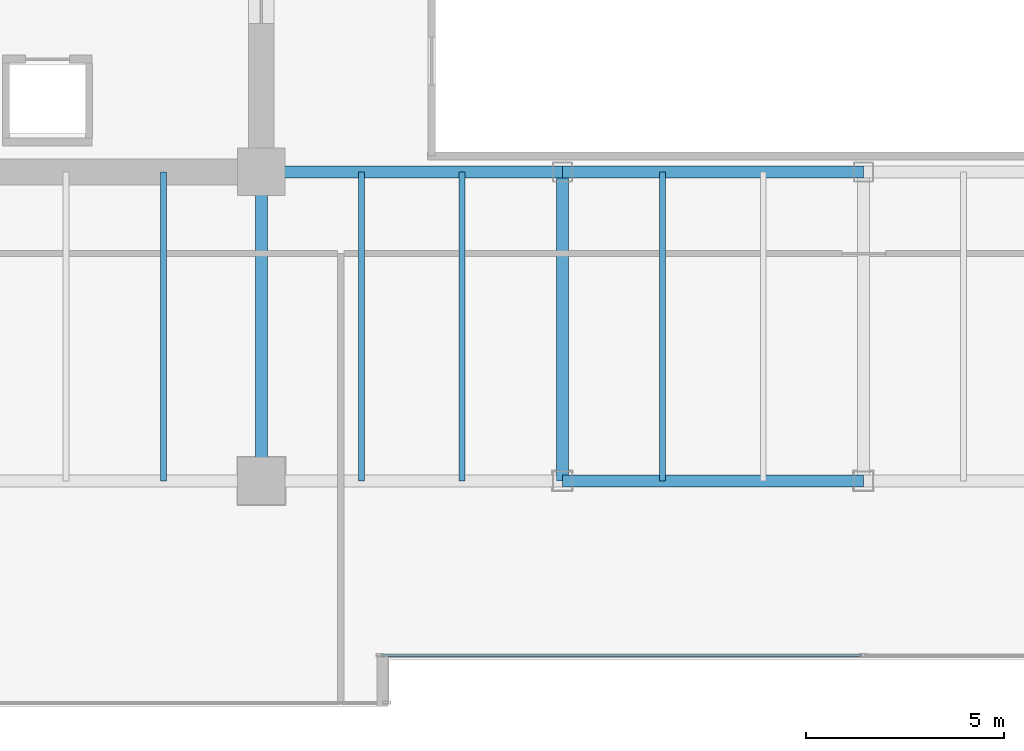
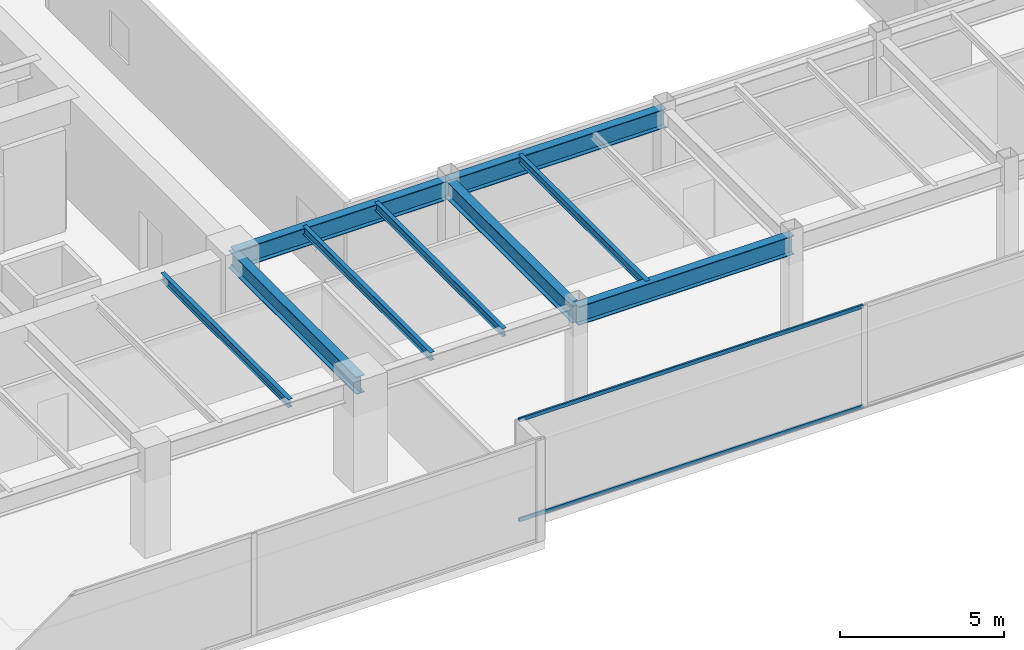
# One storey, part 5 of 33: 9 beams, 2 members, 1 element without a shape of its own.
"""IFC4 building model written with IfcOpenShell, lengths in metres."""

import ifcopenshell
import ifcopenshell.guid

model = None  # the IFC model being written
_history = None  # IfcOwnerHistory: only IFC2X3 demands one
_inside = {}  # id of a spatial element -> (the spatial element, [elements in it])
_under = {}  # id of a project, library or spatial element -> (it, [spatial elements below it])
_declared = {}  # id of a project -> (the project, [libraries it declares])
_typed = {}  # id of a type object -> (the type object, [elements of that type])
_made_of = {}  # id of a material, layer set ... -> (it, [elements and type objects made of it])


def new_model(schema):
    """Start an empty IFC model of exactly this schema.

    Asked for "IFC4X3", IfcOpenShell would pick the latest addendum, in which some entities
    have other attributes; the version numbers below select the first issue.
    IFC2X3 requires an IfcOwnerHistory on every rooted entity: one is made here for all.
    """
    global model, _history
    if schema == "IFC4X3":
        model = ifcopenshell.file(schema_version=(4, 3, 0, 0))
    else:
        model = ifcopenshell.file(schema=schema)
    _inside.clear()
    _under.clear()
    _declared.clear()
    _typed.clear()
    _made_of.clear()
    _history = None
    if model.schema == "IFC2X3":
        org = make("IfcOrganization", Name="unknown")
        user = make(
            "IfcPersonAndOrganization",
            ThePerson=make("IfcPerson", FamilyName="unknown"),
            TheOrganization=org,
        )
        app = make(
            "IfcApplication",
            ApplicationDeveloper=org,
            Version="unknown",
            ApplicationFullName="unknown",
            ApplicationIdentifier="unknown",
        )
        _history = make(
            "IfcOwnerHistory",
            OwningUser=user,
            OwningApplication=app,
            ChangeAction="ADDED",
            CreationDate=0,
        )
    return model


def make(cls, **values):
    """One entity of the class cls with the attributes given. An attribute that is None is left unset."""
    return model.create_entity(
        cls, **{name: value for name, value in values.items() if value is not None}
    )


def rooted(cls, **values):
    """An entity with a GlobalId (a new one), such as an element, a storey or a relation."""
    return make(cls, GlobalId=ifcopenshell.guid.new(), OwnerHistory=_history, **values)


def si_unit(unit_type, name, prefix=None):
    """IfcSIUnit, for example si_unit("LENGTHUNIT", "METRE", prefix="MILLI")."""
    return make("IfcSIUnit", UnitType=unit_type, Prefix=prefix, Name=name)


def assignment(units):
    """IfcUnitAssignment: the units of a project."""
    return None if units is None else make("IfcUnitAssignment", Units=units)


def point(xyz):
    """IfcCartesianPoint."""
    return None if xyz is None else make("IfcCartesianPoint", Coordinates=xyz)


def direction(xyz):
    """IfcDirection."""
    return None if xyz is None else make("IfcDirection", DirectionRatios=xyz)


def frame(location, z_axis=None, x_axis=None):
    """IfcAxis2Placement3D, a coordinate frame: its origin and axes. An axis left out is left unset."""
    return make(
        "IfcAxis2Placement3D",
        Location=point(location),
        Axis=direction(z_axis),
        RefDirection=direction(x_axis),
    )


def frame_2d(location, x_axis=None):
    """IfcAxis2Placement2D, a coordinate frame in the plane: its origin and x axis."""
    return make(
        "IfcAxis2Placement2D", Location=point(location), RefDirection=direction(x_axis)
    )


def origin():
    """The frame at (0, 0, 0) with its axes left unset."""
    return frame((0.0, 0.0, 0.0))


def origin_2d():
    """The frame at (0, 0) in the plane with its x axis left unset."""
    return frame_2d((0.0, 0.0))


def place(relative_to, where):
    """IfcLocalPlacement: puts the frame where relative to a parent placement (None: the world)."""
    return make(
        "IfcLocalPlacement", PlacementRelTo=relative_to, RelativePlacement=where
    )


def context(
    kind, dimensions, precision=None, world=None, true_north=None, identifier=None
):
    """IfcGeometricRepresentationContext, for example the 3D "Model" context."""
    return make(
        "IfcGeometricRepresentationContext",
        ContextIdentifier=identifier,
        ContextType=kind,
        CoordinateSpaceDimension=dimensions,
        Precision=precision,
        WorldCoordinateSystem=world,
        TrueNorth=true_north,
    )


def subcontext(parent, identifier, kind, view, scale=None):
    """IfcGeometricRepresentationSubContext, for example "Body" below "Model"."""
    return make(
        "IfcGeometricRepresentationSubContext",
        ContextIdentifier=identifier,
        ContextType=kind,
        ParentContext=parent,
        TargetScale=scale,
        TargetView=view,
    )


def project(units=None, contexts=None):
    """IfcProject with its units and contexts."""
    return rooted(
        "IfcProject",
        Name="project",
        RepresentationContexts=contexts,
        UnitsInContext=assignment(units),
    )


def spatial(cls, under=None, at=None, **own):
    """A site, building, storey or space (cls), placed at a placement, below another one or the project."""
    s = rooted(cls, ObjectPlacement=at, **own)
    if under is not None:
        _under.setdefault(under.id(), (under, []))[1].append(s)
    return s


def profile(cls, at=None, kind="AREA", **sizes):
    """A parametric profile (cls). Its sizes go by their IFC names, for example OverallWidth=200.0."""
    return make(cls, ProfileType=kind, Position=at, **sizes)


def hollow_rectangle(**sizes):
    """IfcRectangleHollowProfileDef."""
    return profile("IfcRectangleHollowProfileDef", **sizes)


def i_section(**sizes):
    """IfcIShapeProfileDef."""
    return profile("IfcIShapeProfileDef", **sizes)


def extrude(swept, where, along, depth):
    """IfcExtrudedAreaSolid: the profile swept, set in the frame where, extruded along a direction by depth."""
    return make(
        "IfcExtrudedAreaSolid",
        SweptArea=swept,
        Position=where,
        ExtrudedDirection=direction(along),
        Depth=depth,
    )


def shape(context_of_items, identifier, shape_type, items):
    """IfcShapeRepresentation: the items that make up one representation, for example the "Body"."""
    return make(
        "IfcShapeRepresentation",
        ContextOfItems=context_of_items,
        RepresentationIdentifier=identifier,
        RepresentationType=shape_type,
        Items=items,
    )


def source(mapping_origin, context_of_items, identifier, shape_type, items):
    """IfcRepresentationMap: a shape defined once, which mapped items show again and again."""
    return make(
        "IfcRepresentationMap",
        MappingOrigin=mapping_origin,
        MappedRepresentation=shape(context_of_items, identifier, shape_type, items),
    )


def transform(
    local_origin,
    x_axis=None,
    y_axis=None,
    z_axis=None,
    scale=None,
    scale2=None,
    scale3=None,
    uniform=True,
):
    """IfcCartesianTransformationOperator3D, or its non-uniform kind. x_axis, y_axis, z_axis: its Axis1, 2, 3."""
    if uniform:
        return make(
            "IfcCartesianTransformationOperator3D",
            Axis1=direction(x_axis),
            Axis2=direction(y_axis),
            LocalOrigin=point(local_origin),
            Scale=scale,
            Axis3=direction(z_axis),
        )
    return make(
        "IfcCartesianTransformationOperator3DnonUniform",
        Axis1=direction(x_axis),
        Axis2=direction(y_axis),
        LocalOrigin=point(local_origin),
        Scale=scale,
        Axis3=direction(z_axis),
        Scale2=scale2,
        Scale3=scale3,
    )


def mapped(mapping_source, mapping_target):
    """IfcMappedItem: shows the shape of a source again, moved by a transform."""
    return make(
        "IfcMappedItem", MappingSource=mapping_source, MappingTarget=mapping_target
    )


def material(Name=None, Category=None):
    """IfcMaterial."""
    return make("IfcMaterial", Name=Name, Category=Category)


def layer(
    of_material, thickness, ventilated=None, Name=None, Category=None, Priority=None
):
    """IfcMaterialLayer: one layer of a wall or slab, of a material (None: an air gap)."""
    return make(
        "IfcMaterialLayer",
        Material=of_material,
        LayerThickness=thickness,
        IsVentilated=ventilated,
        Name=Name,
        Category=Category,
        Priority=Priority,
    )


def layer_set(layers, Name=None):
    """IfcMaterialLayerSet."""
    return make("IfcMaterialLayerSet", MaterialLayers=layers, LayerSetName=Name)


def material_profile(
    of_material, cross_section, Name=None, Category=None, Priority=None
):
    """IfcMaterialProfile: a cross section and its material."""
    return make(
        "IfcMaterialProfile",
        Name=Name,
        Material=of_material,
        Profile=cross_section,
        Priority=Priority,
        Category=Category,
    )


def profile_set(profiles, Name=None, composite=None):
    """IfcMaterialProfileSet."""
    return make(
        "IfcMaterialProfileSet",
        Name=Name,
        MaterialProfiles=profiles,
        CompositeProfile=composite,
    )


def made_of(thing, what):
    """Note that an element or type object is made of a material, layer set ...; save() writes the relation."""
    if what is not None:
        _made_of.setdefault(what.id(), (what, []))[1].append(thing)
    return thing


def type_object(cls, material=None, **own):
    """A type object (cls), such as IfcWallType, which elements share."""
    return made_of(rooted(cls, **own), material)


def type_shapes(of_type, sources):
    """Give a type object the sources (RepresentationMaps) that its elements show as mapped items."""
    of_type.RepresentationMaps = sources


def element(
    cls,
    number,
    at=None,
    inside=None,
    cuts=None,
    type_object=None,
    material=None,
    context=None,
    identifier="Body",
    shape_type=None,
    held_by="IfcProductDefinitionShape",
    body=None,
    shapes=None,
    **own,
):
    """One element of the class cls, such as IfcWall. Its Tag is "e" and its number.

    at: its placement. inside: the storey or other place that contains it. cuts: it is an
    opening in that element (IfcRelVoidsElement). A single representation is given by context,
    identifier, shape_type and body (its items); several are given by shapes. held_by: the class
    of the entity that holds the representations. save() writes the other relations.
    """
    e = rooted(cls, Tag="e%d" % number, ObjectPlacement=at, **own)
    if body is not None:
        shapes = [shape(context, identifier, shape_type, body)]
    if shapes is not None:
        e.Representation = make(held_by, Representations=shapes)
    if inside is not None:
        _inside.setdefault(inside.id(), (inside, []))[1].append(e)
    if cuts is not None:
        rooted(
            "IfcRelVoidsElement", RelatingBuildingElement=cuts, RelatedOpeningElement=e
        )
    if type_object is not None:
        _typed.setdefault(type_object.id(), (type_object, []))[1].append(e)
    return made_of(e, material)


def aggregate(whole, parts):
    """IfcRelAggregates: a whole, such as a stair, and the parts it consists of."""
    return rooted("IfcRelAggregates", RelatingObject=whole, RelatedObjects=parts)


def save(model, path):
    """Write the relations noted so far, then the file.

    IfcRelAggregates (storeys below a building ...), IfcRelContainedInSpatialStructure (elements
    in a storey), IfcRelDefinesByType, IfcRelAssociatesMaterial and IfcRelDeclares: one each for
    every whole, place, type object, material and project.
    """
    for whole, parts in _under.values():
        aggregate(whole, parts)
    for where, things in _inside.values():
        rooted(
            "IfcRelContainedInSpatialStructure",
            RelatedElements=things,
            RelatingStructure=where,
        )
    for kind, things in _typed.values():
        rooted("IfcRelDefinesByType", RelatedObjects=things, RelatingType=kind)
    for what, things in _made_of.values():
        rooted("IfcRelAssociatesMaterial", RelatedObjects=things, RelatingMaterial=what)
    for by, libraries in _declared.values():
        rooted("IfcRelDeclares", RelatingContext=by, RelatedDefinitions=libraries)
    model.write(path)


model = new_model("IFC4")

# Units and contexts
model_context = context("Model", 3, precision=1e-05, world=origin(), true_north=direction((0.0, 1.0)))
body_context = subcontext(model_context, "Body", "Model", "MODEL_VIEW")
ifc_project = project(units=[si_unit("LENGTHUNIT", "METRE"), si_unit("AREAUNIT", "SQUARE_METRE"), si_unit("VOLUMEUNIT", "CUBIC_METRE"), si_unit("PLANEANGLEUNIT", "RADIAN"), si_unit("MASSUNIT", "GRAM", prefix="KILO")], contexts=[model_context])

# Site, building, storey
site_placement = place(None, origin())
site = spatial("IfcSite", under=ifc_project, at=site_placement, CompositionType="ELEMENT")
building_placement = place(site_placement, origin())
building = spatial("IfcBuilding", under=site, at=building_placement, Name="Haelvirn Gate Laboratories", CompositionType="ELEMENT")
storey_placement = place(building_placement, frame((0.0, 0.0, 137.89990234375)))
storey = spatial("IfcBuildingStorey", under=building, at=storey_placement, Name="L33", CompositionType="ELEMENT", Elevation=137.89990234375)

# Beams
ifc_material_1 = material(Name="Steel SM355", Category="steel")
ifc_material_profile_1 = material_profile(ifc_material_1, i_section(OverallWidth=0.300048828125, OverallDepth=0.64990234375, WebThickness=0.012939453125, FlangeThickness=0.02197265625, at=origin_2d()), Name="H-650x300x13x22")
ifc_profile_set_1 = profile_set([ifc_material_profile_1], Name="Steel SM355")
beam_type_1 = type_object("IfcBeamType", Name="BM-G-650", PredefinedType="BEAM", material=ifc_profile_set_1)
shared_shape_1 = source(origin(), body_context, "Body", "SweptSolid", [
    extrude(i_section(OverallWidth=0.300048828125, OverallDepth=0.64990234375, WebThickness=0.012939453125, FlangeThickness=0.02197265625, at=origin_2d()), origin(), (0.0, 0.0, 1.0), 7.800048828125),
])
type_shapes(beam_type_1, [shared_shape_1])
for number, where, z_axis, x_axis, name in (
    (1, (22.199951171875, 7.0, 3.465087890625), (0.0, 1.0, 0.0), (-1.0, 0.0, 0.0), "L33 Frame Girder X22.2 (7.0-14.8)"),
    (2, (29.800048828125, 7.0, 3.465087890625), (0.0, 1.0, 0.0), (-1.0, 0.0, 0.0), "L33 Frame Girder X29.8 (7.0-14.8)"),
):
    element("IfcBeam", number, at=place(storey_placement, frame(where, z_axis=z_axis, x_axis=x_axis)), inside=storey, type_object=beam_type_1, Name=name, PredefinedType="BEAM", context=body_context, shape_type="MappedRepresentation", body=[
        mapped(shared_shape_1, transform((0.0, 0.0, 0.0), scale=1.0)),
    ])
ifc_material_profile_2 = material_profile(ifc_material_1, i_section(OverallWidth=0.300048828125, OverallDepth=0.699951171875, WebThickness=0.012939453125, FlangeThickness=0.02392578125, at=origin_2d()), Name="H-700x300x13x24")
ifc_profile_set_2 = profile_set([ifc_material_profile_2], Name="Steel SM355")
beam_type_2 = type_object("IfcBeamType", Name="BM-G-700", PredefinedType="BEAM", material=ifc_profile_set_2)
shared_shape_2 = source(origin(), body_context, "Body", "SweptSolid", [
    extrude(i_section(OverallWidth=0.300048828125, OverallDepth=0.699951171875, WebThickness=0.012939453125, FlangeThickness=0.02392578125, at=origin_2d()), origin(), (0.0, 0.0, 1.0), 7.60009765625),
])
beam_placement = place(storey_placement, frame((22.199951171875, 14.800048828125, 3.440185546875), z_axis=(1.0, 0.0, 0.0), x_axis=(0.0, 1.0, 0.0)))
element("IfcBeam", 3, at=beam_placement, inside=storey, type_object=beam_type_2, Name="L33 Primary Girder Y14.8 (22.2-29.8)", PredefinedType="BEAM", context=body_context, shape_type="MappedRepresentation", body=[
    mapped(shared_shape_2, transform((0.0, 0.0, 0.0), scale=1.0)),
])
shared_shape_3 = source(origin(), body_context, "Body", "SweptSolid", [
    extrude(i_section(OverallWidth=0.300048828125, OverallDepth=0.699951171875, WebThickness=0.012939453125, FlangeThickness=0.02392578125, at=origin_2d()), origin(), (0.0, 0.0, 1.0), 7.599853515625),
])
type_shapes(beam_type_2, [shared_shape_2, shared_shape_3])
for number, where, z_axis, x_axis, name in (
    (4, (29.800048828125, 7.0, 3.440185546875), (1.0, 0.0, 0.0), (0.0, 1.0, 0.0), "L33 Primary Girder Y7.0 (29.8-37.4)"),
    (5, (29.800048828125, 14.800048828125, 3.440185546875), (1.0, 0.0, 0.0), (0.0, 1.0, 0.0), "L33 Primary Girder Y14.8 (29.8-37.4)"),
):
    element("IfcBeam", number, at=place(storey_placement, frame(where, z_axis=z_axis, x_axis=x_axis)), inside=storey, type_object=beam_type_2, Name=name, PredefinedType="BEAM", context=body_context, shape_type="MappedRepresentation", body=[
        mapped(shared_shape_3, transform((0.0, 0.0, 0.0), scale=1.0)),
    ])
ifc_material_profile_3 = material_profile(ifc_material_1, i_section(OverallWidth=0.14990234375, OverallDepth=0.300048828125, WebThickness=0.006591796875, FlangeThickness=0.009033203125, at=origin_2d()), Name="H-300x150x6.5x9")
ifc_profile_set_3 = profile_set([ifc_material_profile_3], Name="Steel SM355")
beam_type_3 = type_object("IfcBeamType", Name="BM-J-300", PredefinedType="JOIST", material=ifc_profile_set_3)
shared_shape_4 = source(origin(), body_context, "Body", "SweptSolid", [
    extrude(i_section(OverallWidth=0.14990234375, OverallDepth=0.300048828125, WebThickness=0.006591796875, FlangeThickness=0.009033203125, at=origin_2d()), origin(), (0.0, 0.0, 1.0), 7.800048828125),
])
type_shapes(beam_type_3, [shared_shape_4])
for number, where, z_axis, x_axis, name in (
    (6, (19.72998046875, 7.0, 3.64013671875), (0.0, 1.0, 0.0), (-1.0, 0.0, 0.0), "L33 Composite Lab Joist South X19.73"),
    (7, (24.72998046875, 7.0, 3.64013671875), (0.0, 1.0, 0.0), (-1.0, 0.0, 0.0), "L33 Composite Lab Joist South X24.73"),
    (8, (27.27001953125, 7.0, 3.64013671875), (0.0, 1.0, 0.0), (-1.0, 0.0, 0.0), "L33 Composite Lab Joist South X27.27"),
    (9, (32.330078125, 7.0, 3.64013671875), (0.0, 1.0, 0.0), (-1.0, 0.0, 0.0), "L33 Composite Lab Joist South X32.33"),
):
    element("IfcBeam", number, at=place(storey_placement, frame(where, z_axis=z_axis, x_axis=x_axis)), inside=storey, type_object=beam_type_3, Name=name, PredefinedType="JOIST", context=body_context, shape_type="MappedRepresentation", body=[
        mapped(shared_shape_4, transform((0.0, 0.0, 0.0), scale=1.0)),
    ])

# Curtain wall, members
ifc_material_2 = material(Name="Anodised bronze unitised aluminium & triple low-E glass", Category="aluminium")
ifc_layer = layer(ifc_material_2, 0.179931640625, Name="CW-SYS-3")
ifc_layer_set = layer_set([ifc_layer], Name="Anodised bronze unitised aluminium & triple low-E glass")
curtain_wall_type = type_object("IfcCurtainWallType", Name="CW-SYS-3", PredefinedType="NOTDEFINED", material=ifc_layer_set)
curtain_wall_placement = place(storey_placement, origin())
curtain_wall = element("IfcCurtainWall", 10, at=curtain_wall_placement, inside=storey, type_object=curtain_wall_type, Name="L33 Unitised Curtain Wall CW-L33-P0-E02-1", PredefinedType="NOTDEFINED")
ifc_material_3 = material(Name="Extruded aluminium 6063-T6 (anodised bronze)", Category="aluminium")
ifc_material_profile_4 = material_profile(ifc_material_3, hollow_rectangle(XDim=0.06494140625, YDim=0.139892578125, WallThickness=0.00390625, at=origin_2d()), Name="CWT-140x65x4")
ifc_profile_set_4 = profile_set([ifc_material_profile_4], Name="Extruded aluminium 6063-T6 (anodised bronze)")
member_type = type_object("IfcMemberType", Name="CWT-T140", PredefinedType="USERDEFINED", material=ifc_profile_set_4)
shared_shape_5 = source(origin(), body_context, "Body", "SweptSolid", [
    extrude(hollow_rectangle(XDim=0.06494140625, YDim=0.139892578125, WallThickness=0.00390625, at=origin_2d()), origin(), (0.0, 0.0, 1.0), 12.12744140625),
])
type_shapes(member_type, [shared_shape_5])
member_1_placement = place(storey_placement, frame((25.235107421875, 2.60009765625, 0.03271484375), z_axis=(1.0, 0.0, 0.0), x_axis=(0.0, 1.0, 0.0)))
member_1 = element("IfcMember", 11, at=member_1_placement, type_object=member_type, Name="CW3 transom 1.1", ObjectType="TRANSOM", PredefinedType="USERDEFINED", context=body_context, shape_type="MappedRepresentation", body=[
    mapped(shared_shape_5, transform((0.0, 0.0, 0.0), scale=1.0)),
])
member_2_placement = place(storey_placement, frame((25.235107421875, 2.60009765625, 3.757568359375), z_axis=(1.0, 0.0, 0.0), x_axis=(0.0, 1.0, 0.0)))
member_2 = element("IfcMember", 12, at=member_2_placement, type_object=member_type, Name="CW3 transom 1.2", ObjectType="TRANSOM", PredefinedType="USERDEFINED", context=body_context, shape_type="MappedRepresentation", body=[
    mapped(shared_shape_5, transform((0.0, 0.0, 0.0), scale=1.0)),
])
aggregate(curtain_wall, [member_1, member_2])

save(model, "model.ifc")
